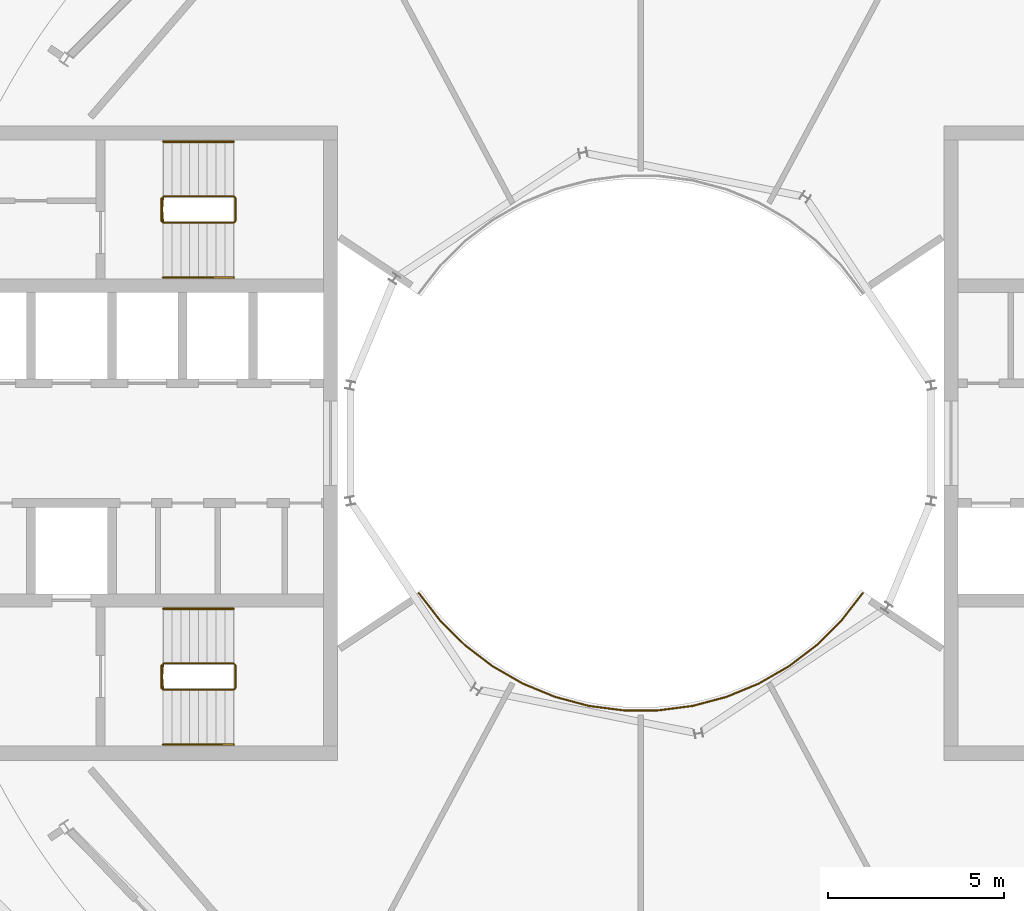
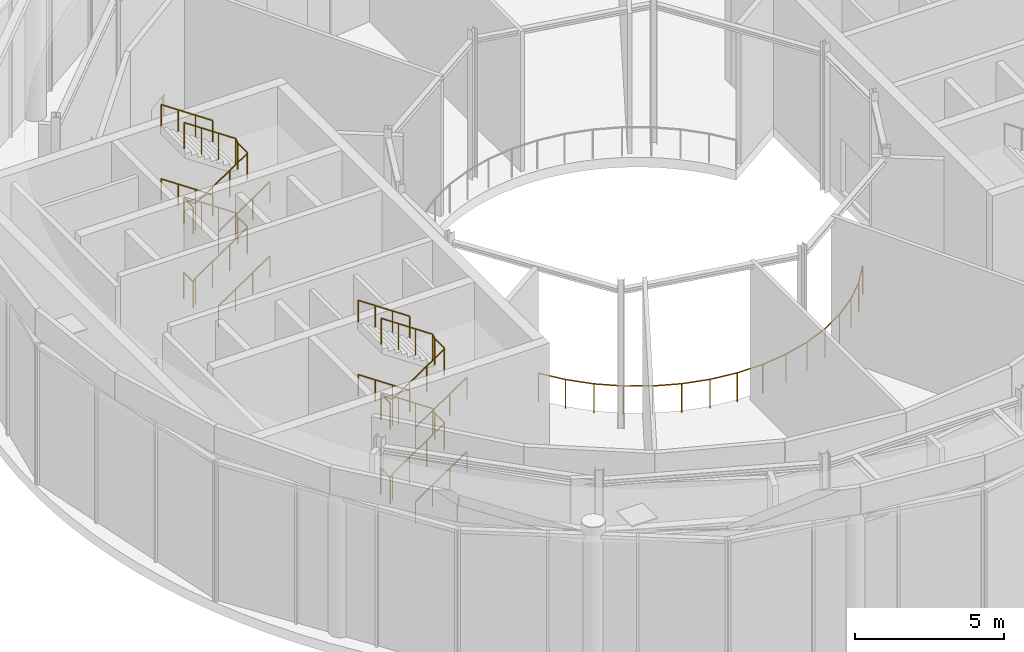
# One storey, part 19 of 20: 11 railings.
"""IFC4 building model written with IfcOpenShell, lengths in metres."""

import ifcopenshell
import ifcopenshell.guid

model = None  # the IFC model being written
_history = None  # IfcOwnerHistory: only IFC2X3 demands one
_inside = {}  # id of a spatial element -> (the spatial element, [elements in it])
_under = {}  # id of a project, library or spatial element -> (it, [spatial elements below it])
_declared = {}  # id of a project -> (the project, [libraries it declares])
_typed = {}  # id of a type object -> (the type object, [elements of that type])
_made_of = {}  # id of a material, layer set ... -> (it, [elements and type objects made of it])


def new_model(schema):
    """Start an empty IFC model of exactly this schema.

    Asked for "IFC4X3", IfcOpenShell would pick the latest addendum, in which some entities
    have other attributes; the version numbers below select the first issue.
    IFC2X3 requires an IfcOwnerHistory on every rooted entity: one is made here for all.
    """
    global model, _history
    if schema == "IFC4X3":
        model = ifcopenshell.file(schema_version=(4, 3, 0, 0))
    else:
        model = ifcopenshell.file(schema=schema)
    _inside.clear()
    _under.clear()
    _declared.clear()
    _typed.clear()
    _made_of.clear()
    _history = None
    if model.schema == "IFC2X3":
        org = make("IfcOrganization", Name="unknown")
        user = make(
            "IfcPersonAndOrganization",
            ThePerson=make("IfcPerson", FamilyName="unknown"),
            TheOrganization=org,
        )
        app = make(
            "IfcApplication",
            ApplicationDeveloper=org,
            Version="unknown",
            ApplicationFullName="unknown",
            ApplicationIdentifier="unknown",
        )
        _history = make(
            "IfcOwnerHistory",
            OwningUser=user,
            OwningApplication=app,
            ChangeAction="ADDED",
            CreationDate=0,
        )
    return model


def make(cls, **values):
    """One entity of the class cls with the attributes given. An attribute that is None is left unset."""
    return model.create_entity(
        cls, **{name: value for name, value in values.items() if value is not None}
    )


def rooted(cls, **values):
    """An entity with a GlobalId (a new one), such as an element, a storey or a relation."""
    return make(cls, GlobalId=ifcopenshell.guid.new(), OwnerHistory=_history, **values)


def si_unit(unit_type, name, prefix=None):
    """IfcSIUnit, for example si_unit("LENGTHUNIT", "METRE", prefix="MILLI")."""
    return make("IfcSIUnit", UnitType=unit_type, Prefix=prefix, Name=name)


def assignment(units):
    """IfcUnitAssignment: the units of a project."""
    return None if units is None else make("IfcUnitAssignment", Units=units)


def point(xyz):
    """IfcCartesianPoint."""
    return None if xyz is None else make("IfcCartesianPoint", Coordinates=xyz)


def direction(xyz):
    """IfcDirection."""
    return None if xyz is None else make("IfcDirection", DirectionRatios=xyz)


def frame(location, z_axis=None, x_axis=None):
    """IfcAxis2Placement3D, a coordinate frame: its origin and axes. An axis left out is left unset."""
    return make(
        "IfcAxis2Placement3D",
        Location=point(location),
        Axis=direction(z_axis),
        RefDirection=direction(x_axis),
    )


def frame_2d(location, x_axis=None):
    """IfcAxis2Placement2D, a coordinate frame in the plane: its origin and x axis."""
    return make(
        "IfcAxis2Placement2D", Location=point(location), RefDirection=direction(x_axis)
    )


def origin():
    """The frame at (0, 0, 0) with its axes left unset."""
    return frame((0.0, 0.0, 0.0))


def origin_2d():
    """The frame at (0, 0) in the plane with its x axis left unset."""
    return frame_2d((0.0, 0.0))


def place(relative_to, where):
    """IfcLocalPlacement: puts the frame where relative to a parent placement (None: the world)."""
    return make(
        "IfcLocalPlacement", PlacementRelTo=relative_to, RelativePlacement=where
    )


def context(
    kind, dimensions, precision=None, world=None, true_north=None, identifier=None
):
    """IfcGeometricRepresentationContext, for example the 3D "Model" context."""
    return make(
        "IfcGeometricRepresentationContext",
        ContextIdentifier=identifier,
        ContextType=kind,
        CoordinateSpaceDimension=dimensions,
        Precision=precision,
        WorldCoordinateSystem=world,
        TrueNorth=true_north,
    )


def subcontext(parent, identifier, kind, view, scale=None):
    """IfcGeometricRepresentationSubContext, for example "Body" below "Model"."""
    return make(
        "IfcGeometricRepresentationSubContext",
        ContextIdentifier=identifier,
        ContextType=kind,
        ParentContext=parent,
        TargetScale=scale,
        TargetView=view,
    )


def project(units=None, contexts=None):
    """IfcProject with its units and contexts."""
    return rooted(
        "IfcProject",
        Name="project",
        RepresentationContexts=contexts,
        UnitsInContext=assignment(units),
    )


def spatial(cls, under=None, at=None, **own):
    """A site, building, storey or space (cls), placed at a placement, below another one or the project."""
    s = rooted(cls, ObjectPlacement=at, **own)
    if under is not None:
        _under.setdefault(under.id(), (under, []))[1].append(s)
    return s


def profile(cls, at=None, kind="AREA", **sizes):
    """A parametric profile (cls). Its sizes go by their IFC names, for example OverallWidth=200.0."""
    return make(cls, ProfileType=kind, Position=at, **sizes)


def circle(**sizes):
    """IfcCircleProfileDef."""
    return profile("IfcCircleProfileDef", **sizes)


def extrude(swept, where, along, depth):
    """IfcExtrudedAreaSolid: the profile swept, set in the frame where, extruded along a direction by depth."""
    return make(
        "IfcExtrudedAreaSolid",
        SweptArea=swept,
        Position=where,
        ExtrudedDirection=direction(along),
        Depth=depth,
    )


def shape(context_of_items, identifier, shape_type, items):
    """IfcShapeRepresentation: the items that make up one representation, for example the "Body"."""
    return make(
        "IfcShapeRepresentation",
        ContextOfItems=context_of_items,
        RepresentationIdentifier=identifier,
        RepresentationType=shape_type,
        Items=items,
    )


def material(Name=None, Category=None):
    """IfcMaterial."""
    return make("IfcMaterial", Name=Name, Category=Category)


def made_of(thing, what):
    """Note that an element or type object is made of a material, layer set ...; save() writes the relation."""
    if what is not None:
        _made_of.setdefault(what.id(), (what, []))[1].append(thing)
    return thing


def type_object(cls, material=None, **own):
    """A type object (cls), such as IfcWallType, which elements share."""
    return made_of(rooted(cls, **own), material)


def element(
    cls,
    number,
    at=None,
    inside=None,
    cuts=None,
    type_object=None,
    material=None,
    context=None,
    identifier="Body",
    shape_type=None,
    held_by="IfcProductDefinitionShape",
    body=None,
    shapes=None,
    **own,
):
    """One element of the class cls, such as IfcWall. Its Tag is "e" and its number.

    at: its placement. inside: the storey or other place that contains it. cuts: it is an
    opening in that element (IfcRelVoidsElement). A single representation is given by context,
    identifier, shape_type and body (its items); several are given by shapes. held_by: the class
    of the entity that holds the representations. save() writes the other relations.
    """
    e = rooted(cls, Tag="e%d" % number, ObjectPlacement=at, **own)
    if body is not None:
        shapes = [shape(context, identifier, shape_type, body)]
    if shapes is not None:
        e.Representation = make(held_by, Representations=shapes)
    if inside is not None:
        _inside.setdefault(inside.id(), (inside, []))[1].append(e)
    if cuts is not None:
        rooted(
            "IfcRelVoidsElement", RelatingBuildingElement=cuts, RelatedOpeningElement=e
        )
    if type_object is not None:
        _typed.setdefault(type_object.id(), (type_object, []))[1].append(e)
    return made_of(e, material)


def aggregate(whole, parts):
    """IfcRelAggregates: a whole, such as a stair, and the parts it consists of."""
    return rooted("IfcRelAggregates", RelatingObject=whole, RelatedObjects=parts)


def save(model, path):
    """Write the relations noted so far, then the file.

    IfcRelAggregates (storeys below a building ...), IfcRelContainedInSpatialStructure (elements
    in a storey), IfcRelDefinesByType, IfcRelAssociatesMaterial and IfcRelDeclares: one each for
    every whole, place, type object, material and project.
    """
    for whole, parts in _under.values():
        aggregate(whole, parts)
    for where, things in _inside.values():
        rooted(
            "IfcRelContainedInSpatialStructure",
            RelatedElements=things,
            RelatingStructure=where,
        )
    for kind, things in _typed.values():
        rooted("IfcRelDefinesByType", RelatedObjects=things, RelatingType=kind)
    for what, things in _made_of.values():
        rooted("IfcRelAssociatesMaterial", RelatedObjects=things, RelatingMaterial=what)
    for by, libraries in _declared.values():
        rooted("IfcRelDeclares", RelatingContext=by, RelatedDefinitions=libraries)
    model.write(path)


model = new_model("IFC4")

# Units and contexts
model_context = context("Model", 3, precision=1e-05, world=origin(), true_north=direction((0.0, 1.0)))
body_context = subcontext(model_context, "Body", "Model", "MODEL_VIEW")
ifc_project = project(units=[si_unit("LENGTHUNIT", "METRE"), si_unit("AREAUNIT", "SQUARE_METRE"), si_unit("VOLUMEUNIT", "CUBIC_METRE"), si_unit("PLANEANGLEUNIT", "RADIAN"), si_unit("MASSUNIT", "GRAM", prefix="KILO")], contexts=[model_context])

# Site, building, storey
site_placement = place(None, origin())
site = spatial("IfcSite", under=ifc_project, at=site_placement, CompositionType="ELEMENT")
building_placement = place(site_placement, origin())
building = spatial("IfcBuilding", under=site, at=building_placement, Name="Maasbend Ring Residences", CompositionType="ELEMENT")
storey_placement = place(building_placement, frame((0.0, 0.0, 255.39990234375)))
storey = spatial("IfcBuildingStorey", under=building, at=storey_placement, Name="L74", CompositionType="ELEMENT", Elevation=255.39990234375)

# Railings
ifc_material_1 = material(Name="Stainless steel 316 and glass", Category="steel")
railing_type_1 = type_object("IfcRailingType", Name="RL-GUARD", PredefinedType="GUARDRAIL", material=ifc_material_1)
railing_1_placement = place(storey_placement, frame((-6.296875, -4.25537109375, 0.0)))
element("IfcRailing", 1, at=railing_1_placement, inside=storey, type_object=railing_type_1, Name="Well guard 2", PredefinedType="GUARDRAIL", context=body_context, shape_type="SweptSolid", body=[
    extrude(circle(Radius=0.02490234375, at=origin_2d()), frame((0.0, 0.0, 1.1748046875), z_axis=(0.61260637429, -0.790388151593, 0.0), x_axis=(0.790388151593, 0.61260637429, 0.0)), (0.0, 0.0, 1.0), 0.98876953125),
    extrude(circle(Radius=0.02490234375, at=origin_2d()), frame((0.605712890625, -0.781494140625, 1.1748046875), z_axis=(0.710063286319, -0.704137862511, 0.0), x_axis=(0.704137862511, 0.710063286319, 0.0)), (0.0, 0.0, 1.0), 0.98876953125),
    extrude(circle(Radius=0.02490234375, at=origin_2d()), frame((1.307861328125, -1.477783203125, 1.1748046875), z_axis=(0.795414718638, -0.606065528944, 0.0), x_axis=(0.606065528944, 0.795414718638, 0.0)), (0.0, 0.0, 1.0), 0.989013671875),
    extrude(circle(Radius=0.02490234375, at=origin_2d()), frame((2.094482421875, -2.0771484375, 1.1748046875), z_axis=(0.867436652983, -0.497547638987, 0.0), x_axis=(0.497547638987, 0.867436652983, 0.0)), (0.0, 0.0, 1.0), 0.98876953125),
    extrude(circle(Radius=0.02490234375, at=origin_2d()), frame((2.9521484375, -2.569091796875, 1.1748046875), z_axis=(0.924683211941, -0.380737386599, 0.0), x_axis=(0.380737386599, 0.924683211941, 0.0)), (0.0, 0.0, 1.0), 0.98876953125),
    extrude(circle(Radius=0.02490234375, at=origin_2d()), frame((3.866455078125, -2.945556640625, 1.1748046875), z_axis=(0.966279997956, -0.257493622348, 0.0), x_axis=(0.257493622348, 0.966279997956, 0.0)), (0.0, 0.0, 1.0), 0.989013671875),
    extrude(circle(Radius=0.02490234375, at=origin_2d()), frame((4.822021484375, -3.2001953125, 1.1748046875), z_axis=(0.991531433773, -0.129866915878, 0.0), x_axis=(0.129866915878, 0.991531433773, 0.0)), (0.0, 0.0, 1.0), 0.98876953125),
    extrude(circle(Radius=0.02490234375, at=origin_2d()), frame((5.802490234375, -3.32861328125, 1.1748046875), z_axis=(1.0, 0.0, 0.0), x_axis=(0.0, 1.0, 0.0)), (0.0, 0.0, 1.0), 0.98876953125),
    extrude(circle(Radius=0.02490234375, at=origin_2d()), frame((6.791259765625, -3.32861328125, 1.1748046875), z_axis=(0.991531433773, 0.129866915878, 0.0), x_axis=(-0.129866915878, 0.991531433773, 0.0)), (0.0, 0.0, 1.0), 0.98876953125),
    extrude(circle(Radius=0.02490234375, at=origin_2d()), frame((7.771728515625, -3.2001953125, 1.1748046875), z_axis=(0.966279997956, 0.257493622348, 0.0), x_axis=(-0.257493622348, 0.966279997956, 0.0)), (0.0, 0.0, 1.0), 0.989013671875),
    extrude(circle(Radius=0.02490234375, at=origin_2d()), frame((8.727294921875, -2.945556640625, 1.1748046875), z_axis=(0.924683211941, 0.380737386599, 0.0), x_axis=(-0.380737386599, 0.924683211941, 0.0)), (0.0, 0.0, 1.0), 0.98876953125),
    extrude(circle(Radius=0.02490234375, at=origin_2d()), frame((9.6416015625, -2.569091796875, 1.1748046875), z_axis=(0.867436652983, 0.497547638987, 0.0), x_axis=(-0.497547638987, 0.867436652983, 0.0)), (0.0, 0.0, 1.0), 0.98876953125),
    extrude(circle(Radius=0.02490234375, at=origin_2d()), frame((10.499267578125, -2.0771484375, 1.1748046875), z_axis=(0.795414718638, 0.606065528944, 0.0), x_axis=(-0.606065528944, 0.795414718638, 0.0)), (0.0, 0.0, 1.0), 0.989013671875),
    extrude(circle(Radius=0.02490234375, at=origin_2d()), frame((11.285888671875, -1.477783203125, 1.1748046875), z_axis=(0.710063286319, 0.704137862511, 0.0), x_axis=(-0.704137862511, 0.710063286319, 0.0)), (0.0, 0.0, 1.0), 0.98876953125),
    extrude(circle(Radius=0.02490234375, at=origin_2d()), frame((11.988037109375, -0.781494140625, 1.1748046875), z_axis=(0.61260637429, 0.790388151593, 0.0), x_axis=(-0.790388151593, 0.61260637429, 0.0)), (0.0, 0.0, 1.0), 0.98876953125),
    extrude(circle(Radius=0.02001953125, at=origin_2d()), origin(), (0.0, 0.0, 1.0), 1.14990234375),
    extrude(circle(Radius=0.02001953125, at=origin_2d()), frame((0.605712890625, -0.781494140625, 0.0)), (0.0, 0.0, 1.0), 1.14990234375),
    extrude(circle(Radius=0.02001953125, at=origin_2d()), frame((1.307861328125, -1.477783203125, 0.0)), (0.0, 0.0, 1.0), 1.14990234375),
    extrude(circle(Radius=0.02001953125, at=origin_2d()), frame((2.094482421875, -2.0771484375, 0.0)), (0.0, 0.0, 1.0), 1.14990234375),
    extrude(circle(Radius=0.02001953125, at=origin_2d()), frame((2.9521484375, -2.569091796875, 0.0)), (0.0, 0.0, 1.0), 1.14990234375),
    extrude(circle(Radius=0.02001953125, at=origin_2d()), frame((3.866455078125, -2.945556640625, 0.0)), (0.0, 0.0, 1.0), 1.14990234375),
    extrude(circle(Radius=0.02001953125, at=origin_2d()), frame((4.822021484375, -3.2001953125, 0.0)), (0.0, 0.0, 1.0), 1.14990234375),
    extrude(circle(Radius=0.02001953125, at=origin_2d()), frame((5.802490234375, -3.32861328125, 0.0)), (0.0, 0.0, 1.0), 1.14990234375),
    extrude(circle(Radius=0.02001953125, at=origin_2d()), frame((6.791259765625, -3.32861328125, 0.0)), (0.0, 0.0, 1.0), 1.14990234375),
    extrude(circle(Radius=0.02001953125, at=origin_2d()), frame((7.771728515625, -3.2001953125, 0.0)), (0.0, 0.0, 1.0), 1.14990234375),
    extrude(circle(Radius=0.02001953125, at=origin_2d()), frame((8.727294921875, -2.945556640625, 0.0)), (0.0, 0.0, 1.0), 1.14990234375),
    extrude(circle(Radius=0.02001953125, at=origin_2d()), frame((9.6416015625, -2.569091796875, 0.0)), (0.0, 0.0, 1.0), 1.14990234375),
    extrude(circle(Radius=0.02001953125, at=origin_2d()), frame((10.499267578125, -2.0771484375, 0.0)), (0.0, 0.0, 1.0), 1.14990234375),
    extrude(circle(Radius=0.02001953125, at=origin_2d()), frame((11.285888671875, -1.477783203125, 0.0)), (0.0, 0.0, 1.0), 1.14990234375),
    extrude(circle(Radius=0.02001953125, at=origin_2d()), frame((11.988037109375, -0.781494140625, 0.0)), (0.0, 0.0, 1.0), 1.14990234375),
    extrude(circle(Radius=0.02001953125, at=origin_2d()), frame((12.59375, 0.0, 0.0)), (0.0, 0.0, 1.0), 1.14990234375),
])
ifc_material_2 = material(Name="Stainless steel 316", Category="steel")
railing_type_2 = type_object("IfcRailingType", Name="STAIR GUARD 1100", PredefinedType="GUARDRAIL", material=ifc_material_2)
railing_2_placement = place(storey_placement, frame((-13.60009765625, -6.300048828125, 0.0)))
element("IfcRailing", 2, at=railing_2_placement, inside=storey, type_object=railing_type_2, Name="L74 ST-W1 stair guard 1", PredefinedType="GUARDRAIL", context=body_context, shape_type="SweptSolid", body=[
    extrude(circle(Radius=0.02392578125, at=origin_2d()), frame((0.0, 0.0, 1.076171875), z_axis=(0.0, -1.0, 0.0), x_axis=(1.0, 0.0, 0.0)), (0.0, 0.0, 1.0), 0.64990234375),
    extrude(circle(Radius=0.02392578125, at=origin_2d()), frame((0.0, -0.64990234375, 1.076171875), z_axis=(0.272562526181, -0.272562526181, 0.92272386912), x_axis=(0.707106781187, 0.707106781187, 0.0)), (0.0, 0.0, 1.0), 0.18359375),
    extrude(circle(Radius=0.02392578125, at=origin_2d()), frame((0.050048828125, -0.699951171875, 1.24560546875), z_axis=(0.827750655447, 0.0, 0.561096116906), x_axis=(0.0, 1.0, 0.0)), (0.0, 0.0, 1.0), 2.416259765625),
    extrude(circle(Radius=0.02392578125, at=origin_2d()), frame((2.050048828125, -0.699951171875, 2.60107421875), z_axis=(0.707106781187, 0.707106781187, 0.0), x_axis=(-0.707106781187, 0.707106781187, 0.0)), (0.0, 0.0, 1.0), 0.07080078125),
    extrude(circle(Radius=0.02392578125, at=origin_2d()), frame((2.10009765625, -0.64990234375, 2.60107421875), z_axis=(0.0, 1.0, 0.0), x_axis=(-1.0, 0.0, 0.0)), (0.0, 0.0, 1.0), 0.64990234375),
    extrude(circle(Radius=0.02392578125, at=origin_2d()), frame((2.10009765625, 0.0, 2.60107421875), z_axis=(-0.272562526181, 0.272562526181, 0.92272386912), x_axis=(-0.707106781187, -0.707106781187, 0.0)), (0.0, 0.0, 1.0), 0.18359375),
    extrude(circle(Radius=0.02392578125, at=origin_2d()), frame((2.050048828125, 0.050048828125, 2.7705078125), z_axis=(-0.827797584762, 0.0, 0.561026878735), x_axis=(0.0, -1.0, 0.0)), (0.0, 0.0, 1.0), 2.416015625),
    extrude(circle(Radius=0.02392578125, at=origin_2d()), frame((0.050048828125, 0.050048828125, 4.1259765625), z_axis=(-0.071321223157, -0.997453398975, 0.0), x_axis=(0.997453398975, -0.071321223157, 0.0)), (0.0, 0.0, 1.0), 0.70166015625),
    extrude(circle(Radius=0.02392578125, at=origin_2d()), frame((0.0, -0.64990234375, 4.1259765625), z_axis=(0.0, 1.0, 0.0), x_axis=(-1.0, 0.0, 0.0)), (0.0, 0.0, 1.0), 0.64990234375),
    extrude(circle(Radius=0.02392578125, at=origin_2d()), frame((0.0, 0.0, 4.1259765625), z_axis=(0.069328998915, -0.969591414091, 0.234704025594), x_axis=(0.997453398975, 0.071321223157, 0.0)), (0.0, 0.0, 1.0), 0.721923828125),
    extrude(circle(Radius=0.02392578125, at=origin_2d()), frame((0.050048828125, -0.699951171875, 4.29541015625), z_axis=(0.827750655447, 0.0, 0.561096116906), x_axis=(0.0, 1.0, 0.0)), (0.0, 0.0, 1.0), 2.416259765625),
    extrude(circle(Radius=0.02392578125, at=origin_2d()), frame((2.050048828125, -0.699951171875, 5.6513671875), z_axis=(0.707106781187, 0.707106781187, 0.0), x_axis=(-0.707106781187, 0.707106781187, 0.0)), (0.0, 0.0, 1.0), 0.07080078125),
    extrude(circle(Radius=0.02392578125, at=origin_2d()), frame((2.10009765625, -0.64990234375, 5.6513671875), z_axis=(0.0, 1.0, 0.0), x_axis=(-1.0, 0.0, 0.0)), (0.0, 0.0, 1.0), 0.64990234375),
    extrude(circle(Radius=0.02392578125, at=origin_2d()), frame((2.10009765625, 0.0, 5.6513671875), z_axis=(-0.272562526181, 0.272562526181, 0.92272386912), x_axis=(-0.707106781187, -0.707106781187, 0.0)), (0.0, 0.0, 1.0), 0.18359375),
    extrude(circle(Radius=0.02392578125, at=origin_2d()), frame((2.050048828125, 0.050048828125, 5.82080078125), z_axis=(-0.827797584762, 0.0, 0.561026878735), x_axis=(0.0, -1.0, 0.0)), (0.0, 0.0, 1.0), 2.416015625),
    extrude(circle(Radius=0.02099609375, at=origin_2d()), origin(), (0.0, 0.0, 1.0), 1.052001953125),
    extrude(circle(Radius=0.02099609375, at=origin_2d()), frame((0.0, -0.64990234375, 0.0)), (0.0, 0.0, 1.0), 1.052001953125),
    extrude(circle(Radius=0.02099609375, at=origin_2d()), frame((0.050048828125, -0.699951171875, 0.16943359375)), (0.0, 0.0, 1.0), 1.052001953125),
    extrude(circle(Radius=0.02099609375, at=origin_2d()), frame((0.716796875, -0.699951171875, 0.621337890625)), (0.0, 0.0, 1.0), 1.052001953125),
    extrude(circle(Radius=0.02099609375, at=origin_2d()), frame((1.38330078125, -0.699951171875, 1.0732421875)), (0.0, 0.0, 1.0), 1.052001953125),
    extrude(circle(Radius=0.02099609375, at=origin_2d()), frame((2.050048828125, -0.699951171875, 1.525146484375)), (0.0, 0.0, 1.0), 1.052001953125),
    extrude(circle(Radius=0.02099609375, at=origin_2d()), frame((2.10009765625, -0.64990234375, 1.525146484375)), (0.0, 0.0, 1.0), 1.052001953125),
    extrude(circle(Radius=0.02099609375, at=origin_2d()), frame((2.10009765625, 0.0, 1.525146484375)), (0.0, 0.0, 1.0), 1.052001953125),
    extrude(circle(Radius=0.02099609375, at=origin_2d()), frame((2.050048828125, 0.050048828125, 1.694580078125)), (0.0, 0.0, 1.0), 1.052001953125),
    extrude(circle(Radius=0.02099609375, at=origin_2d()), frame((1.38330078125, 0.050048828125, 2.146484375)), (0.0, 0.0, 1.0), 1.052001953125),
    extrude(circle(Radius=0.02099609375, at=origin_2d()), frame((0.716796875, 0.050048828125, 2.59814453125)), (0.0, 0.0, 1.0), 1.052001953125),
    extrude(circle(Radius=0.02099609375, at=origin_2d()), frame((0.050048828125, 0.050048828125, 3.050048828125)), (0.0, 0.0, 1.0), 1.052001953125),
    extrude(circle(Radius=0.02099609375, at=origin_2d()), frame((0.0, -0.64990234375, 3.050048828125)), (0.0, 0.0, 1.0), 1.052001953125),
    extrude(circle(Radius=0.02099609375, at=origin_2d()), frame((0.0, 0.0, 3.050048828125)), (0.0, 0.0, 1.0), 1.052001953125),
    extrude(circle(Radius=0.02099609375, at=origin_2d()), frame((0.050048828125, -0.699951171875, 3.219482421875)), (0.0, 0.0, 1.0), 1.052001953125),
    extrude(circle(Radius=0.02099609375, at=origin_2d()), frame((0.716796875, -0.699951171875, 3.67138671875)), (0.0, 0.0, 1.0), 1.052001953125),
    extrude(circle(Radius=0.02099609375, at=origin_2d()), frame((1.38330078125, -0.699951171875, 4.123291015625)), (0.0, 0.0, 1.0), 1.052001953125),
    extrude(circle(Radius=0.02099609375, at=origin_2d()), frame((2.050048828125, -0.699951171875, 4.5751953125)), (0.0, 0.0, 1.0), 1.052001953125),
    extrude(circle(Radius=0.02099609375, at=origin_2d()), frame((2.10009765625, -0.64990234375, 4.5751953125)), (0.0, 0.0, 1.0), 1.052001953125),
    extrude(circle(Radius=0.02099609375, at=origin_2d()), frame((2.10009765625, 0.0, 4.5751953125)), (0.0, 0.0, 1.0), 1.052001953125),
    extrude(circle(Radius=0.02099609375, at=origin_2d()), frame((2.050048828125, 0.050048828125, 4.74462890625)), (0.0, 0.0, 1.0), 1.052001953125),
    extrude(circle(Radius=0.02099609375, at=origin_2d()), frame((1.38330078125, 0.050048828125, 5.196533203125)), (0.0, 0.0, 1.0), 1.052001953125),
    extrude(circle(Radius=0.02099609375, at=origin_2d()), frame((0.716796875, 0.050048828125, 5.648193359375)), (0.0, 0.0, 1.0), 1.052001953125),
    extrude(circle(Radius=0.02099609375, at=origin_2d()), frame((0.050048828125, 0.050048828125, 6.10009765625)), (0.0, 0.0, 1.0), 1.052001953125),
])
railing_3_placement = place(storey_placement, frame((-13.60009765625, 6.949951171875, 0.0)))
element("IfcRailing", 3, at=railing_3_placement, inside=storey, type_object=railing_type_2, Name="L74 ST-W2 stair guard 1", PredefinedType="GUARDRAIL", context=body_context, shape_type="SweptSolid", body=[
    extrude(circle(Radius=0.02392578125, at=origin_2d()), frame((0.0, 0.0, 1.076171875), z_axis=(0.0, -1.0, 0.0), x_axis=(1.0, 0.0, 0.0)), (0.0, 0.0, 1.0), 0.64990234375),
    extrude(circle(Radius=0.02392578125, at=origin_2d()), frame((0.0, -0.64990234375, 1.076171875), z_axis=(0.272562526181, -0.272562526181, 0.92272386912), x_axis=(0.707106781187, 0.707106781187, 0.0)), (0.0, 0.0, 1.0), 0.18359375),
    extrude(circle(Radius=0.02392578125, at=origin_2d()), frame((0.050048828125, -0.699951171875, 1.24560546875), z_axis=(0.827750655447, 0.0, 0.561096116906), x_axis=(0.0, 1.0, 0.0)), (0.0, 0.0, 1.0), 2.416259765625),
    extrude(circle(Radius=0.02392578125, at=origin_2d()), frame((2.050048828125, -0.699951171875, 2.60107421875), z_axis=(0.707106781187, 0.707106781187, 0.0), x_axis=(-0.707106781187, 0.707106781187, 0.0)), (0.0, 0.0, 1.0), 0.07080078125),
    extrude(circle(Radius=0.02392578125, at=origin_2d()), frame((2.10009765625, -0.64990234375, 2.60107421875), z_axis=(0.0, 1.0, 0.0), x_axis=(-1.0, 0.0, 0.0)), (0.0, 0.0, 1.0), 0.64990234375),
    extrude(circle(Radius=0.02392578125, at=origin_2d()), frame((2.10009765625, 0.0, 2.60107421875), z_axis=(-0.272562526181, 0.272562526181, 0.92272386912), x_axis=(-0.707106781187, -0.707106781187, 0.0)), (0.0, 0.0, 1.0), 0.18359375),
    extrude(circle(Radius=0.02392578125, at=origin_2d()), frame((2.050048828125, 0.050048828125, 2.7705078125), z_axis=(-0.827797584762, 0.0, 0.561026878735), x_axis=(0.0, -1.0, 0.0)), (0.0, 0.0, 1.0), 2.416015625),
    extrude(circle(Radius=0.02392578125, at=origin_2d()), frame((0.050048828125, 0.050048828125, 4.1259765625), z_axis=(-0.071321223157, -0.997453398975, 0.0), x_axis=(0.997453398975, -0.071321223157, 0.0)), (0.0, 0.0, 1.0), 0.70166015625),
    extrude(circle(Radius=0.02392578125, at=origin_2d()), frame((0.0, -0.64990234375, 4.1259765625), z_axis=(0.0, 1.0, 0.0), x_axis=(-1.0, 0.0, 0.0)), (0.0, 0.0, 1.0), 0.64990234375),
    extrude(circle(Radius=0.02392578125, at=origin_2d()), frame((0.0, 0.0, 4.1259765625), z_axis=(0.069328998915, -0.969591414091, 0.234704025594), x_axis=(0.997453398975, 0.071321223157, 0.0)), (0.0, 0.0, 1.0), 0.721923828125),
    extrude(circle(Radius=0.02392578125, at=origin_2d()), frame((0.050048828125, -0.699951171875, 4.29541015625), z_axis=(0.827750655447, 0.0, 0.561096116906), x_axis=(0.0, 1.0, 0.0)), (0.0, 0.0, 1.0), 2.416259765625),
    extrude(circle(Radius=0.02392578125, at=origin_2d()), frame((2.050048828125, -0.699951171875, 5.6513671875), z_axis=(0.707106781187, 0.707106781187, 0.0), x_axis=(-0.707106781187, 0.707106781187, 0.0)), (0.0, 0.0, 1.0), 0.07080078125),
    extrude(circle(Radius=0.02392578125, at=origin_2d()), frame((2.10009765625, -0.64990234375, 5.6513671875), z_axis=(0.0, 1.0, 0.0), x_axis=(-1.0, 0.0, 0.0)), (0.0, 0.0, 1.0), 0.64990234375),
    extrude(circle(Radius=0.02392578125, at=origin_2d()), frame((2.10009765625, 0.0, 5.6513671875), z_axis=(-0.272562526181, 0.272562526181, 0.92272386912), x_axis=(-0.707106781187, -0.707106781187, 0.0)), (0.0, 0.0, 1.0), 0.18359375),
    extrude(circle(Radius=0.02392578125, at=origin_2d()), frame((2.050048828125, 0.050048828125, 5.82080078125), z_axis=(-0.827797584762, 0.0, 0.561026878735), x_axis=(0.0, -1.0, 0.0)), (0.0, 0.0, 1.0), 2.416015625),
    extrude(circle(Radius=0.02099609375, at=origin_2d()), origin(), (0.0, 0.0, 1.0), 1.052001953125),
    extrude(circle(Radius=0.02099609375, at=origin_2d()), frame((0.0, -0.64990234375, 0.0)), (0.0, 0.0, 1.0), 1.052001953125),
    extrude(circle(Radius=0.02099609375, at=origin_2d()), frame((0.050048828125, -0.699951171875, 0.16943359375)), (0.0, 0.0, 1.0), 1.052001953125),
    extrude(circle(Radius=0.02099609375, at=origin_2d()), frame((0.716796875, -0.699951171875, 0.621337890625)), (0.0, 0.0, 1.0), 1.052001953125),
    extrude(circle(Radius=0.02099609375, at=origin_2d()), frame((1.38330078125, -0.699951171875, 1.0732421875)), (0.0, 0.0, 1.0), 1.052001953125),
    extrude(circle(Radius=0.02099609375, at=origin_2d()), frame((2.050048828125, -0.699951171875, 1.525146484375)), (0.0, 0.0, 1.0), 1.052001953125),
    extrude(circle(Radius=0.02099609375, at=origin_2d()), frame((2.10009765625, -0.64990234375, 1.525146484375)), (0.0, 0.0, 1.0), 1.052001953125),
    extrude(circle(Radius=0.02099609375, at=origin_2d()), frame((2.10009765625, 0.0, 1.525146484375)), (0.0, 0.0, 1.0), 1.052001953125),
    extrude(circle(Radius=0.02099609375, at=origin_2d()), frame((2.050048828125, 0.050048828125, 1.694580078125)), (0.0, 0.0, 1.0), 1.052001953125),
    extrude(circle(Radius=0.02099609375, at=origin_2d()), frame((1.38330078125, 0.050048828125, 2.146484375)), (0.0, 0.0, 1.0), 1.052001953125),
    extrude(circle(Radius=0.02099609375, at=origin_2d()), frame((0.716796875, 0.050048828125, 2.59814453125)), (0.0, 0.0, 1.0), 1.052001953125),
    extrude(circle(Radius=0.02099609375, at=origin_2d()), frame((0.050048828125, 0.050048828125, 3.050048828125)), (0.0, 0.0, 1.0), 1.052001953125),
    extrude(circle(Radius=0.02099609375, at=origin_2d()), frame((0.0, -0.64990234375, 3.050048828125)), (0.0, 0.0, 1.0), 1.052001953125),
    extrude(circle(Radius=0.02099609375, at=origin_2d()), frame((0.0, 0.0, 3.050048828125)), (0.0, 0.0, 1.0), 1.052001953125),
    extrude(circle(Radius=0.02099609375, at=origin_2d()), frame((0.050048828125, -0.699951171875, 3.219482421875)), (0.0, 0.0, 1.0), 1.052001953125),
    extrude(circle(Radius=0.02099609375, at=origin_2d()), frame((0.716796875, -0.699951171875, 3.67138671875)), (0.0, 0.0, 1.0), 1.052001953125),
    extrude(circle(Radius=0.02099609375, at=origin_2d()), frame((1.38330078125, -0.699951171875, 4.123291015625)), (0.0, 0.0, 1.0), 1.052001953125),
    extrude(circle(Radius=0.02099609375, at=origin_2d()), frame((2.050048828125, -0.699951171875, 4.5751953125)), (0.0, 0.0, 1.0), 1.052001953125),
    extrude(circle(Radius=0.02099609375, at=origin_2d()), frame((2.10009765625, -0.64990234375, 4.5751953125)), (0.0, 0.0, 1.0), 1.052001953125),
    extrude(circle(Radius=0.02099609375, at=origin_2d()), frame((2.10009765625, 0.0, 4.5751953125)), (0.0, 0.0, 1.0), 1.052001953125),
    extrude(circle(Radius=0.02099609375, at=origin_2d()), frame((2.050048828125, 0.050048828125, 4.74462890625)), (0.0, 0.0, 1.0), 1.052001953125),
    extrude(circle(Radius=0.02099609375, at=origin_2d()), frame((1.38330078125, 0.050048828125, 5.196533203125)), (0.0, 0.0, 1.0), 1.052001953125),
    extrude(circle(Radius=0.02099609375, at=origin_2d()), frame((0.716796875, 0.050048828125, 5.648193359375)), (0.0, 0.0, 1.0), 1.052001953125),
    extrude(circle(Radius=0.02099609375, at=origin_2d()), frame((0.050048828125, 0.050048828125, 6.10009765625)), (0.0, 0.0, 1.0), 1.052001953125),
])
ifc_material_3 = material(Name="Stainless steel 316", Category="steel")
railing_type_3 = type_object("IfcRailingType", Name="STAIR HANDRAIL 900", PredefinedType="HANDRAIL", material=ifc_material_3)
railing_4_placement = place(storey_placement, frame((-13.550048828125, -8.550048828125, 0.16943359375)))
element("IfcRailing", 4, at=railing_4_placement, inside=storey, type_object=railing_type_3, Name="L74 ST-W1 stair handrail 1", PredefinedType="HANDRAIL", context=body_context, shape_type="SweptSolid", body=[
    extrude(circle(Radius=0.02392578125, at=origin_2d()), frame((0.0, 0.0, 0.8759765625), z_axis=(0.827750655447, 0.0, 0.561096116906), x_axis=(0.0, 1.0, 0.0)), (0.0, 0.0, 1.0), 2.416259765625),
    extrude(circle(Radius=0.02099609375, at=origin_2d()), origin(), (0.0, 0.0, 1.0), 0.851806640625),
    extrude(circle(Radius=0.02099609375, at=origin_2d()), frame((0.666748046875, 0.0, 0.451904296875)), (0.0, 0.0, 1.0), 0.851806640625),
    extrude(circle(Radius=0.02099609375, at=origin_2d()), frame((1.333251953125, 0.0, 0.90380859375)), (0.0, 0.0, 1.0), 0.851806640625),
    extrude(circle(Radius=0.02099609375, at=origin_2d()), frame((2.0, 0.0, 1.355712890625)), (0.0, 0.0, 1.0), 0.851806640625),
])
railing_5_placement = place(storey_placement, frame((-11.550048828125, -4.699951171875, 1.694580078125)))
element("IfcRailing", 5, at=railing_5_placement, inside=storey, type_object=railing_type_3, Name="L74 ST-W1 stair handrail 2", PredefinedType="HANDRAIL", context=body_context, shape_type="SweptSolid", body=[
    extrude(circle(Radius=0.02392578125, at=origin_2d()), frame((0.0, 0.0, 0.8759765625), z_axis=(-0.827797584762, 0.0, 0.561026878735), x_axis=(0.0, -1.0, 0.0)), (0.0, 0.0, 1.0), 2.416015625),
    extrude(circle(Radius=0.02099609375, at=origin_2d()), origin(), (0.0, 0.0, 1.0), 0.851806640625),
    extrude(circle(Radius=0.02099609375, at=origin_2d()), frame((-0.666748046875, 0.0, 0.451904296875)), (0.0, 0.0, 1.0), 0.851806640625),
    extrude(circle(Radius=0.02099609375, at=origin_2d()), frame((-1.333251953125, 0.0, 0.903564453125)), (0.0, 0.0, 1.0), 0.851806640625),
    extrude(circle(Radius=0.02099609375, at=origin_2d()), frame((-2.0, 0.0, 1.35546875)), (0.0, 0.0, 1.0), 0.851806640625),
])
railing_6_placement = place(storey_placement, frame((-13.550048828125, -8.550048828125, 3.219482421875)))
element("IfcRailing", 6, at=railing_6_placement, inside=storey, type_object=railing_type_3, Name="L74 ST-W1 stair handrail 3", PredefinedType="HANDRAIL", context=body_context, shape_type="SweptSolid", body=[
    extrude(circle(Radius=0.02392578125, at=origin_2d()), frame((0.0, 0.0, 0.8759765625), z_axis=(0.827750655447, 0.0, 0.561096116906), x_axis=(0.0, 1.0, 0.0)), (0.0, 0.0, 1.0), 2.416259765625),
    extrude(circle(Radius=0.02099609375, at=origin_2d()), origin(), (0.0, 0.0, 1.0), 0.851806640625),
    extrude(circle(Radius=0.02099609375, at=origin_2d()), frame((0.666748046875, 0.0, 0.451904296875)), (0.0, 0.0, 1.0), 0.851806640625),
    extrude(circle(Radius=0.02099609375, at=origin_2d()), frame((1.333251953125, 0.0, 0.90380859375)), (0.0, 0.0, 1.0), 0.851806640625),
    extrude(circle(Radius=0.02099609375, at=origin_2d()), frame((2.0, 0.0, 1.355712890625)), (0.0, 0.0, 1.0), 0.851806640625),
])
railing_7_placement = place(storey_placement, frame((-11.550048828125, -4.699951171875, 4.74462890625)))
element("IfcRailing", 7, at=railing_7_placement, inside=storey, type_object=railing_type_3, Name="L74 ST-W1 stair handrail 4", PredefinedType="HANDRAIL", context=body_context, shape_type="SweptSolid", body=[
    extrude(circle(Radius=0.02392578125, at=origin_2d()), frame((0.0, 0.0, 0.8759765625), z_axis=(-0.827797584762, 0.0, 0.561026878735), x_axis=(0.0, -1.0, 0.0)), (0.0, 0.0, 1.0), 2.416015625),
    extrude(circle(Radius=0.02099609375, at=origin_2d()), origin(), (0.0, 0.0, 1.0), 0.851806640625),
    extrude(circle(Radius=0.02099609375, at=origin_2d()), frame((-0.666748046875, 0.0, 0.451904296875)), (0.0, 0.0, 1.0), 0.851806640625),
    extrude(circle(Radius=0.02099609375, at=origin_2d()), frame((-1.333251953125, 0.0, 0.903564453125)), (0.0, 0.0, 1.0), 0.851806640625),
    extrude(circle(Radius=0.02099609375, at=origin_2d()), frame((-2.0, 0.0, 1.35546875)), (0.0, 0.0, 1.0), 0.851806640625),
])
railing_8_placement = place(storey_placement, frame((-13.550048828125, 4.699951171875, 0.16943359375)))
element("IfcRailing", 8, at=railing_8_placement, inside=storey, type_object=railing_type_3, Name="L74 ST-W2 stair handrail 1", PredefinedType="HANDRAIL", context=body_context, shape_type="SweptSolid", body=[
    extrude(circle(Radius=0.02392578125, at=origin_2d()), frame((0.0, 0.0, 0.8759765625), z_axis=(0.827750655447, 0.0, 0.561096116906), x_axis=(0.0, 1.0, 0.0)), (0.0, 0.0, 1.0), 2.416259765625),
    extrude(circle(Radius=0.02099609375, at=origin_2d()), origin(), (0.0, 0.0, 1.0), 0.851806640625),
    extrude(circle(Radius=0.02099609375, at=origin_2d()), frame((0.666748046875, 0.0, 0.451904296875)), (0.0, 0.0, 1.0), 0.851806640625),
    extrude(circle(Radius=0.02099609375, at=origin_2d()), frame((1.333251953125, 0.0, 0.90380859375)), (0.0, 0.0, 1.0), 0.851806640625),
    extrude(circle(Radius=0.02099609375, at=origin_2d()), frame((2.0, 0.0, 1.355712890625)), (0.0, 0.0, 1.0), 0.851806640625),
])
railing_9_placement = place(storey_placement, frame((-11.550048828125, 8.550048828125, 1.694580078125)))
element("IfcRailing", 9, at=railing_9_placement, inside=storey, type_object=railing_type_3, Name="L74 ST-W2 stair handrail 2", PredefinedType="HANDRAIL", context=body_context, shape_type="SweptSolid", body=[
    extrude(circle(Radius=0.02392578125, at=origin_2d()), frame((0.0, 0.0, 0.8759765625), z_axis=(-0.827797584762, 0.0, 0.561026878735), x_axis=(0.0, -1.0, 0.0)), (0.0, 0.0, 1.0), 2.416015625),
    extrude(circle(Radius=0.02099609375, at=origin_2d()), origin(), (0.0, 0.0, 1.0), 0.851806640625),
    extrude(circle(Radius=0.02099609375, at=origin_2d()), frame((-0.666748046875, 0.0, 0.451904296875)), (0.0, 0.0, 1.0), 0.851806640625),
    extrude(circle(Radius=0.02099609375, at=origin_2d()), frame((-1.333251953125, 0.0, 0.903564453125)), (0.0, 0.0, 1.0), 0.851806640625),
    extrude(circle(Radius=0.02099609375, at=origin_2d()), frame((-2.0, 0.0, 1.35546875)), (0.0, 0.0, 1.0), 0.851806640625),
])
railing_10_placement = place(storey_placement, frame((-13.550048828125, 4.699951171875, 3.219482421875)))
element("IfcRailing", 10, at=railing_10_placement, inside=storey, type_object=railing_type_3, Name="L74 ST-W2 stair handrail 3", PredefinedType="HANDRAIL", context=body_context, shape_type="SweptSolid", body=[
    extrude(circle(Radius=0.02392578125, at=origin_2d()), frame((0.0, 0.0, 0.8759765625), z_axis=(0.827750655447, 0.0, 0.561096116906), x_axis=(0.0, 1.0, 0.0)), (0.0, 0.0, 1.0), 2.416259765625),
    extrude(circle(Radius=0.02099609375, at=origin_2d()), origin(), (0.0, 0.0, 1.0), 0.851806640625),
    extrude(circle(Radius=0.02099609375, at=origin_2d()), frame((0.666748046875, 0.0, 0.451904296875)), (0.0, 0.0, 1.0), 0.851806640625),
    extrude(circle(Radius=0.02099609375, at=origin_2d()), frame((1.333251953125, 0.0, 0.90380859375)), (0.0, 0.0, 1.0), 0.851806640625),
    extrude(circle(Radius=0.02099609375, at=origin_2d()), frame((2.0, 0.0, 1.355712890625)), (0.0, 0.0, 1.0), 0.851806640625),
])
railing_11_placement = place(storey_placement, frame((-11.550048828125, 8.550048828125, 4.74462890625)))
element("IfcRailing", 11, at=railing_11_placement, inside=storey, type_object=railing_type_3, Name="L74 ST-W2 stair handrail 4", PredefinedType="HANDRAIL", context=body_context, shape_type="SweptSolid", body=[
    extrude(circle(Radius=0.02392578125, at=origin_2d()), frame((0.0, 0.0, 0.8759765625), z_axis=(-0.827797584762, 0.0, 0.561026878735), x_axis=(0.0, -1.0, 0.0)), (0.0, 0.0, 1.0), 2.416015625),
    extrude(circle(Radius=0.02099609375, at=origin_2d()), origin(), (0.0, 0.0, 1.0), 0.851806640625),
    extrude(circle(Radius=0.02099609375, at=origin_2d()), frame((-0.666748046875, 0.0, 0.451904296875)), (0.0, 0.0, 1.0), 0.851806640625),
    extrude(circle(Radius=0.02099609375, at=origin_2d()), frame((-1.333251953125, 0.0, 0.903564453125)), (0.0, 0.0, 1.0), 0.851806640625),
    extrude(circle(Radius=0.02099609375, at=origin_2d()), frame((-2.0, 0.0, 1.35546875)), (0.0, 0.0, 1.0), 0.851806640625),
])

save(model, "model.ifc")
